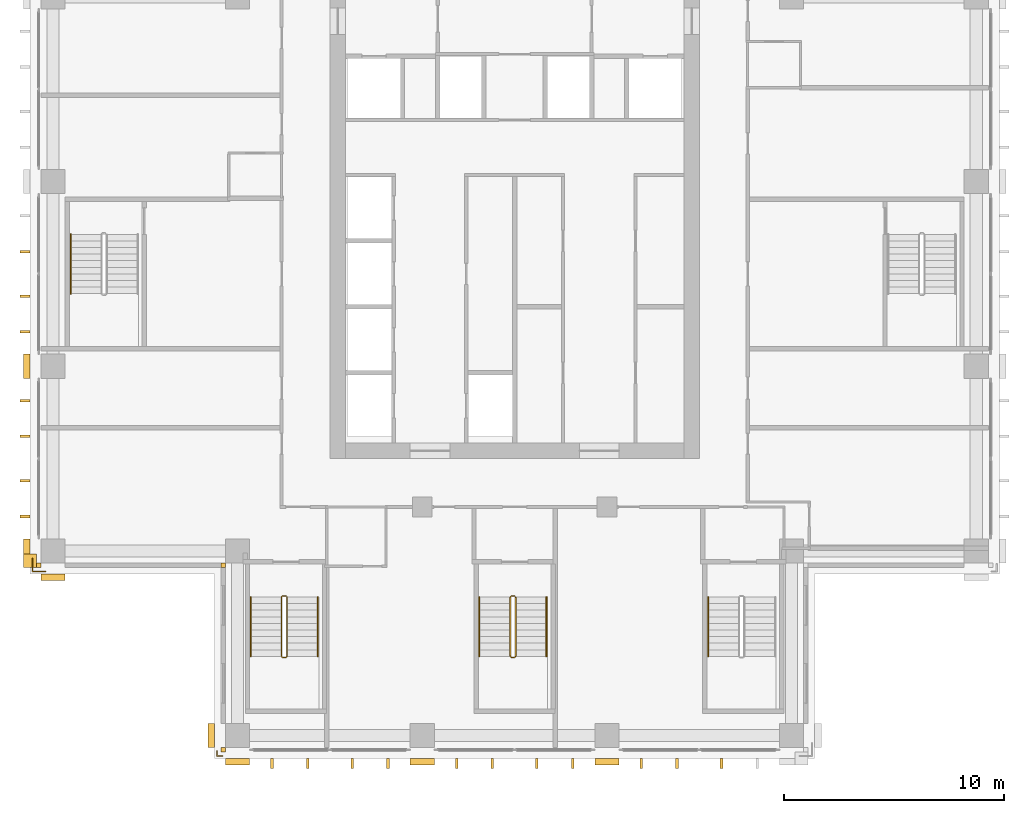
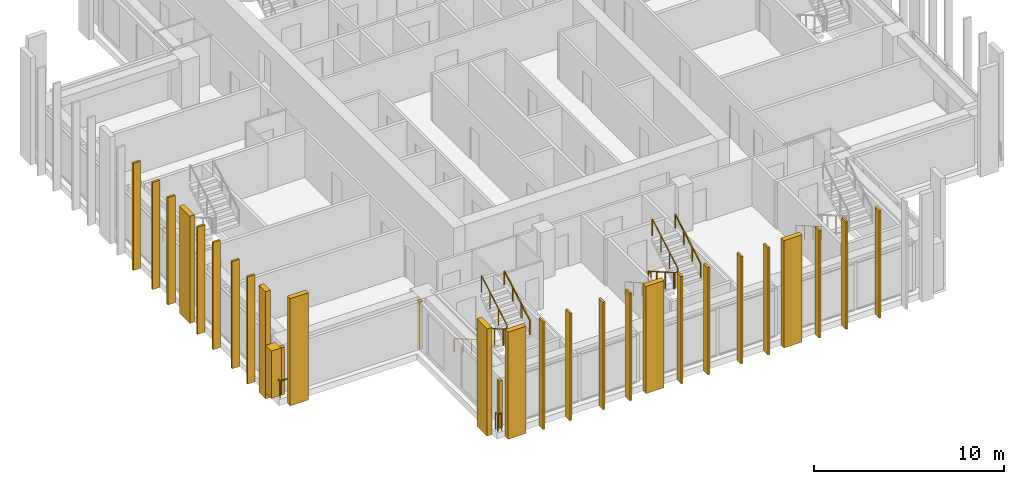
# One storey, part 14 of 16: 29 coverings, 10 railings.
"""IFC4 building model written with IfcOpenShell, lengths in metres."""

from ifc_helpers import new_model, si_unit, direction, frame, origin, origin_2d, place, context, subcontext, project, spatial, polyline, rectangle, outline, extrude, material, layer, layer_set, type_object, element, save


model = new_model("IFC4")

# Units and contexts
model_context = context("Model", 3, precision=1e-05, world=origin(), true_north=direction((0.0, 1.0)))
body_context = subcontext(model_context, "Body", "Model", "MODEL_VIEW")
ifc_project = project(units=[si_unit("LENGTHUNIT", "METRE"), si_unit("AREAUNIT", "SQUARE_METRE"), si_unit("VOLUMEUNIT", "CUBIC_METRE"), si_unit("PLANEANGLEUNIT", "RADIAN"), si_unit("MASSUNIT", "GRAM", prefix="KILO")], contexts=[model_context])

# Site, building, storey
site_placement = place(None, origin())
site = spatial("IfcSite", under=ifc_project, at=site_placement, CompositionType="ELEMENT")
building_placement = place(site_placement, origin())
building = spatial("IfcBuilding", under=site, at=building_placement, Name="Vermilion Ogive Tower", CompositionType="ELEMENT")
storey_placement = place(building_placement, frame((0.0, 0.0, 143.449951171875)))
storey = spatial("IfcBuildingStorey", under=building, at=storey_placement, Name="L36", CompositionType="ELEMENT", Elevation=143.449951171875)

# Coverings
ifc_material_1 = material(Name="Glazed ceramic screen")
ifc_layer = layer(ifc_material_1, 0.14990234375)
ifc_layer_set = layer_set([ifc_layer], Name="Ceramic solar screen fin")
covering_type_1 = type_object("IfcCoveringType", Name="Ceramic solar screen fin", PredefinedType="CLADDING", material=ifc_layer_set)
covering_1_placement = place(storey_placement, frame((0.0, 0.0, -0.39990234375)))
element("IfcCovering", 1, at=covering_1_placement, inside=storey, type_object=covering_type_1, Name="Solar screen blade S971", PredefinedType="CLADDING", context=body_context, shape_type="SweptSolid", body=[
    extrude(outline(polyline([(-11.097412109375, -22.5), (-10.9775390625, -22.5), (-10.9775390625, -22.050048828125), (-11.097412109375, -22.050048828125), (-11.097412109375, -22.5)])), origin(), (0.0, 0.0, 1.0), 6.89990234375),
])
covering_2_placement = place(storey_placement, frame((0.0, 0.0, -0.39990234375)))
element("IfcCovering", 2, at=covering_2_placement, inside=storey, type_object=covering_type_1, Name="Solar screen blade S972", PredefinedType="CLADDING", context=body_context, shape_type="SweptSolid", body=[
    extrude(outline(polyline([(-9.472412109375, -22.5), (-9.3525390625, -22.5), (-9.3525390625, -22.050048828125), (-9.472412109375, -22.050048828125), (-9.472412109375, -22.5)])), origin(), (0.0, 0.0, 1.0), 6.89990234375),
])
covering_3_placement = place(storey_placement, frame((0.0, 0.0, -0.39990234375)))
element("IfcCovering", 3, at=covering_3_placement, inside=storey, type_object=covering_type_1, Name="Solar screen blade S981", PredefinedType="CLADDING", context=body_context, shape_type="SweptSolid", body=[
    extrude(outline(polyline([(-7.447509765625, -22.5), (-7.327392578125, -22.5), (-7.327392578125, -22.050048828125), (-7.447509765625, -22.050048828125), (-7.447509765625, -22.5)])), origin(), (0.0, 0.0, 1.0), 6.89990234375),
])
covering_4_placement = place(storey_placement, frame((0.0, 0.0, -0.39990234375)))
element("IfcCovering", 4, at=covering_4_placement, inside=storey, type_object=covering_type_1, Name="Solar screen blade S982", PredefinedType="CLADDING", context=body_context, shape_type="SweptSolid", body=[
    extrude(outline(polyline([(-5.822509765625, -22.5), (-5.702392578125, -22.5), (-5.702392578125, -22.050048828125), (-5.822509765625, -22.050048828125), (-5.822509765625, -22.5)])), origin(), (0.0, 0.0, 1.0), 6.89990234375),
])
covering_5_placement = place(storey_placement, frame((0.0, 0.0, -0.39990234375)))
element("IfcCovering", 5, at=covering_5_placement, inside=storey, type_object=covering_type_1, Name="Solar screen blade S991", PredefinedType="CLADDING", context=body_context, shape_type="SweptSolid", body=[
    extrude(outline(polyline([(-2.697509765625, -22.5), (-2.577392578125, -22.5), (-2.577392578125, -22.050048828125), (-2.697509765625, -22.050048828125), (-2.697509765625, -22.5)])), origin(), (0.0, 0.0, 1.0), 6.89990234375),
])
covering_6_placement = place(storey_placement, frame((0.0, 0.0, -0.39990234375)))
element("IfcCovering", 6, at=covering_6_placement, inside=storey, type_object=covering_type_1, Name="Solar screen blade S992", PredefinedType="CLADDING", context=body_context, shape_type="SweptSolid", body=[
    extrude(outline(polyline([(-1.072509765625, -22.5), (-0.952392578125, -22.5), (-0.952392578125, -22.050048828125), (-1.072509765625, -22.050048828125), (-1.072509765625, -22.5)])), origin(), (0.0, 0.0, 1.0), 6.89990234375),
])
covering_7_placement = place(storey_placement, frame((0.0, 0.0, -0.39990234375)))
element("IfcCovering", 7, at=covering_7_placement, inside=storey, type_object=covering_type_1, Name="Solar screen blade S001", PredefinedType="CLADDING", context=body_context, shape_type="SweptSolid", body=[
    extrude(outline(polyline([(0.952392578125, -22.5), (1.072509765625, -22.5), (1.072509765625, -22.050048828125), (0.952392578125, -22.050048828125), (0.952392578125, -22.5)])), origin(), (0.0, 0.0, 1.0), 6.89990234375),
])
covering_8_placement = place(storey_placement, frame((0.0, 0.0, -0.39990234375)))
element("IfcCovering", 8, at=covering_8_placement, inside=storey, type_object=covering_type_1, Name="Solar screen blade S002", PredefinedType="CLADDING", context=body_context, shape_type="SweptSolid", body=[
    extrude(outline(polyline([(2.577392578125, -22.5), (2.697509765625, -22.5), (2.697509765625, -22.050048828125), (2.577392578125, -22.050048828125), (2.577392578125, -22.5)])), origin(), (0.0, 0.0, 1.0), 6.89990234375),
])
covering_9_placement = place(storey_placement, frame((0.0, 0.0, -0.39990234375)))
element("IfcCovering", 9, at=covering_9_placement, inside=storey, type_object=covering_type_1, Name="Solar screen blade S011", PredefinedType="CLADDING", context=body_context, shape_type="SweptSolid", body=[
    extrude(outline(polyline([(5.702392578125, -22.5), (5.822509765625, -22.5), (5.822509765625, -22.050048828125), (5.702392578125, -22.050048828125), (5.702392578125, -22.5)])), origin(), (0.0, 0.0, 1.0), 6.89990234375),
])
covering_10_placement = place(storey_placement, frame((0.0, 0.0, -0.39990234375)))
element("IfcCovering", 10, at=covering_10_placement, inside=storey, type_object=covering_type_1, Name="Solar screen blade S012", PredefinedType="CLADDING", context=body_context, shape_type="SweptSolid", body=[
    extrude(outline(polyline([(7.327392578125, -22.5), (7.447509765625, -22.5), (7.447509765625, -22.050048828125), (7.327392578125, -22.050048828125), (7.327392578125, -22.5)])), origin(), (0.0, 0.0, 1.0), 6.89990234375),
])
covering_11_placement = place(storey_placement, frame((0.0, 0.0, -0.39990234375)))
element("IfcCovering", 11, at=covering_11_placement, inside=storey, type_object=covering_type_1, Name="Solar screen blade S021", PredefinedType="CLADDING", context=body_context, shape_type="SweptSolid", body=[
    extrude(outline(polyline([(9.3525390625, -22.5), (9.472412109375, -22.5), (9.472412109375, -22.050048828125), (9.3525390625, -22.050048828125), (9.3525390625, -22.5)])), origin(), (0.0, 0.0, 1.0), 6.89990234375),
])
covering_12_placement = place(storey_placement, frame((0.0, 0.0, -0.39990234375)))
element("IfcCovering", 12, at=covering_12_placement, inside=storey, type_object=covering_type_1, Name="Solar screen blade W991", PredefinedType="CLADDING", context=body_context, shape_type="SweptSolid", body=[
    extrude(outline(polyline([(-22.5, -0.952392578125), (-22.5, -1.072509765625), (-22.050048828125, -1.072509765625), (-22.050048828125, -0.952392578125), (-22.5, -0.952392578125)])), origin(), (0.0, 0.0, 1.0), 6.89990234375),
])
covering_13_placement = place(storey_placement, frame((0.0, 0.0, -0.39990234375)))
element("IfcCovering", 13, at=covering_13_placement, inside=storey, type_object=covering_type_1, Name="Solar screen blade W992", PredefinedType="CLADDING", context=body_context, shape_type="SweptSolid", body=[
    extrude(outline(polyline([(-22.5, -2.577392578125), (-22.5, -2.697509765625), (-22.050048828125, -2.697509765625), (-22.050048828125, -2.577392578125), (-22.5, -2.577392578125)])), origin(), (0.0, 0.0, 1.0), 6.89990234375),
])
covering_14_placement = place(storey_placement, frame((0.0, 0.0, -0.39990234375)))
element("IfcCovering", 14, at=covering_14_placement, inside=storey, type_object=covering_type_1, Name="Solar screen blade W002", PredefinedType="CLADDING", context=body_context, shape_type="SweptSolid", body=[
    extrude(outline(polyline([(-22.5, 1.072509765625), (-22.5, 0.952392578125), (-22.050048828125, 0.952392578125), (-22.050048828125, 1.072509765625), (-22.5, 1.072509765625)])), origin(), (0.0, 0.0, 1.0), 6.89990234375),
])
covering_15_placement = place(storey_placement, frame((0.0, 0.0, -0.39990234375)))
element("IfcCovering", 15, at=covering_15_placement, inside=storey, type_object=covering_type_1, Name="Solar screen blade W971", PredefinedType="CLADDING", context=body_context, shape_type="SweptSolid", body=[
    extrude(outline(polyline([(-22.5, -9.3525390625), (-22.5, -9.472412109375), (-22.050048828125, -9.472412109375), (-22.050048828125, -9.3525390625), (-22.5, -9.3525390625)])), origin(), (0.0, 0.0, 1.0), 6.89990234375),
])
covering_16_placement = place(storey_placement, frame((0.0, 0.0, -0.39990234375)))
element("IfcCovering", 16, at=covering_16_placement, inside=storey, type_object=covering_type_1, Name="Solar screen blade W972", PredefinedType="CLADDING", context=body_context, shape_type="SweptSolid", body=[
    extrude(outline(polyline([(-22.5, -10.9775390625), (-22.5, -11.097412109375), (-22.050048828125, -11.097412109375), (-22.050048828125, -10.9775390625), (-22.5, -10.9775390625)])), origin(), (0.0, 0.0, 1.0), 6.89990234375),
])
covering_17_placement = place(storey_placement, frame((0.0, 0.0, -0.39990234375)))
element("IfcCovering", 17, at=covering_17_placement, inside=storey, type_object=covering_type_1, Name="Solar screen blade W981", PredefinedType="CLADDING", context=body_context, shape_type="SweptSolid", body=[
    extrude(outline(polyline([(-22.5, -5.702392578125), (-22.5, -5.822509765625), (-22.050048828125, -5.822509765625), (-22.050048828125, -5.702392578125), (-22.5, -5.702392578125)])), origin(), (0.0, 0.0, 1.0), 6.89990234375),
])
covering_18_placement = place(storey_placement, frame((0.0, 0.0, -0.39990234375)))
element("IfcCovering", 18, at=covering_18_placement, inside=storey, type_object=covering_type_1, Name="Solar screen blade W982", PredefinedType="CLADDING", context=body_context, shape_type="SweptSolid", body=[
    extrude(outline(polyline([(-22.5, -7.327392578125), (-22.5, -7.447509765625), (-22.050048828125, -7.447509765625), (-22.050048828125, -7.327392578125), (-22.5, -7.327392578125)])), origin(), (0.0, 0.0, 1.0), 6.89990234375),
])

# Railings
ifc_material_2 = material(Name="Stainless steel", Category="steel")
railing_type_1 = type_object("IfcRailingType", Name="Slab edge guard SG1", PredefinedType="GUARDRAIL", material=ifc_material_2)
railing_1_placement = place(storey_placement, frame((-13.300048828125, -21.929931640625, 0.0)))
element("IfcRailing", 19, at=railing_1_placement, inside=storey, type_object=railing_type_1, Name="L36 slab corner guard", PredefinedType="GUARDRAIL", context=body_context, shape_type="SweptSolid", body=[
    extrude(rectangle(XDim=0.050048828125, YDim=0.050048828125, at=origin_2d()), frame((0.0, 0.0, 1.0751953125), z_axis=(-1.0, 0.0, 0.0), x_axis=(0.0, -1.0, 0.0)), (0.0, 0.0, 1.0), 0.22998046875),
    extrude(rectangle(XDim=0.050048828125, YDim=0.050048828125, at=origin_2d()), frame((-0.22998046875, 0.0, 1.0751953125), z_axis=(0.0, 1.0, 0.0), x_axis=(-1.0, 0.0, 0.0)), (0.0, 0.0, 1.0), 0.22998046875),
    extrude(rectangle(XDim=0.050048828125, YDim=0.050048828125, at=origin_2d()), origin(), (0.0, 0.0, 1.0), 1.050048828125),
    extrude(rectangle(XDim=0.050048828125, YDim=0.050048828125, at=origin_2d()), frame((-0.22998046875, 0.0, 0.0)), (0.0, 0.0, 1.0), 1.050048828125),
    extrude(rectangle(XDim=0.050048828125, YDim=0.050048828125, at=origin_2d()), frame((-0.22998046875, 0.22998046875, 0.0)), (0.0, 0.0, 1.0), 1.050048828125),
])
railing_2_placement = place(storey_placement, frame((-21.929931640625, -12.949951171875, 0.0)))
element("IfcRailing", 20, at=railing_2_placement, inside=storey, type_object=railing_type_1, Name="L36 slab corner guard", PredefinedType="GUARDRAIL", context=body_context, shape_type="SweptSolid", body=[
    extrude(rectangle(XDim=0.050048828125, YDim=0.050048828125, at=origin_2d()), frame((0.0, 0.0, 1.0751953125), z_axis=(0.0, -1.0, 0.0), x_axis=(1.0, 0.0, 0.0)), (0.0, 0.0, 1.0), 0.580078125),
    extrude(rectangle(XDim=0.050048828125, YDim=0.050048828125, at=origin_2d()), frame((0.0, -0.580078125, 1.0751953125), z_axis=(1.0, 0.0, 0.0), x_axis=(0.0, 1.0, 0.0)), (0.0, 0.0, 1.0), 0.579833984375),
    extrude(rectangle(XDim=0.050048828125, YDim=0.050048828125, at=origin_2d()), origin(), (0.0, 0.0, 1.0), 1.050048828125),
    extrude(rectangle(XDim=0.050048828125, YDim=0.050048828125, at=origin_2d()), frame((0.0, -0.580078125, 0.0)), (0.0, 0.0, 1.0), 1.050048828125),
    extrude(rectangle(XDim=0.050048828125, YDim=0.050048828125, at=origin_2d()), frame((0.579833984375, -0.580078125, 0.0)), (0.0, 0.0, 1.0), 1.050048828125),
])
ifc_material_3 = material(Name="Steel S355 painted", Category="steel")
railing_type_2 = type_object("IfcRailingType", Name="Stair guard 1100", PredefinedType="GUARDRAIL", material=ifc_material_3)
railing_3_placement = place(storey_placement, frame((-10.39990234375, -14.64990234375, 0.0)))
element("IfcRailing", 21, at=railing_3_placement, inside=storey, type_object=railing_type_2, Name="L36 ST3 stair guard 4", PredefinedType="GUARDRAIL", context=body_context, shape_type="SweptSolid", body=[
    extrude(rectangle(XDim=0.048095703125, YDim=0.048095703125, at=origin_2d()), frame((0.0, 0.0, 1.076171875), z_axis=(-1.0, 0.0, 0.0), x_axis=(0.0, -1.0, 0.0)), (0.0, 0.0, 1.0), 0.150146484375),
    extrude(rectangle(XDim=0.048095703125, YDim=0.048095703125, at=origin_2d()), frame((-0.150146484375, 0.0, 1.076171875), z_axis=(-0.268277960024, -0.268277960024, 0.925231793839), x_axis=(0.707106781187, -0.707106781187, 0.0)), (0.0, 0.0, 1.0), 0.1865234375),
    extrude(rectangle(XDim=0.048095703125, YDim=0.048095703125, at=origin_2d()), frame((-0.2001953125, -0.050048828125, 1.24853515625), z_axis=(0.0, -0.866903762492, 0.498475542607), x_axis=(1.0, 0.0, 0.0)), (0.0, 0.0, 1.0), 3.114501953125),
    extrude(rectangle(XDim=0.048095703125, YDim=0.048095703125, at=origin_2d()), frame((-0.2001953125, -2.75, 2.80126953125), z_axis=(0.707106781187, -0.707106781187, 0.0), x_axis=(0.707106781187, 0.707106781187, 0.0)), (0.0, 0.0, 1.0), 0.07080078125),
    extrude(rectangle(XDim=0.048095703125, YDim=0.048095703125, at=origin_2d()), frame((-0.150146484375, -2.800048828125, 2.80126953125), z_axis=(1.0, 0.0, 0.0), x_axis=(0.0, 1.0, 0.0)), (0.0, 0.0, 1.0), 0.150146484375),
    extrude(rectangle(XDim=0.048095703125, YDim=0.048095703125, at=origin_2d()), frame((0.0, -2.800048828125, 2.80126953125), z_axis=(0.267386790225, 0.268697509785, 0.925368009307), x_axis=(-0.708833529934, 0.705375805398, 0.0)), (0.0, 0.0, 1.0), 0.186279296875),
    extrude(rectangle(XDim=0.048095703125, YDim=0.048095703125, at=origin_2d()), frame((0.0498046875, -2.75, 2.9736328125), z_axis=(0.0, 0.866903762492, 0.498475542607), x_axis=(-1.0, 0.0, 0.0)), (0.0, 0.0, 1.0), 3.114501953125),
    extrude(rectangle(XDim=0.0419921875, YDim=0.0419921875, at=origin_2d()), origin(), (0.0, 0.0, 1.0), 1.052001953125),
    extrude(rectangle(XDim=0.0419921875, YDim=0.0419921875, at=origin_2d()), frame((-0.150146484375, 0.0, 0.0)), (0.0, 0.0, 1.0), 1.052001953125),
    extrude(rectangle(XDim=0.0419921875, YDim=0.0419921875, at=origin_2d()), frame((-0.2001953125, -0.050048828125, 0.172607421875)), (0.0, 0.0, 1.0), 1.052001953125),
    extrude(rectangle(XDim=0.0419921875, YDim=0.0419921875, at=origin_2d()), frame((-0.2001953125, -0.949951171875, 0.690185546875)), (0.0, 0.0, 1.0), 1.052001953125),
    extrude(rectangle(XDim=0.0419921875, YDim=0.0419921875, at=origin_2d()), frame((-0.2001953125, -1.85009765625, 1.20751953125)), (0.0, 0.0, 1.0), 1.052001953125),
    extrude(rectangle(XDim=0.0419921875, YDim=0.0419921875, at=origin_2d()), frame((-0.2001953125, -2.75, 1.72509765625)), (0.0, 0.0, 1.0), 1.052001953125),
    extrude(rectangle(XDim=0.0419921875, YDim=0.0419921875, at=origin_2d()), frame((-0.150146484375, -2.800048828125, 1.72509765625)), (0.0, 0.0, 1.0), 1.052001953125),
    extrude(rectangle(XDim=0.0419921875, YDim=0.0419921875, at=origin_2d()), frame((0.0, -2.800048828125, 1.72509765625)), (0.0, 0.0, 1.0), 1.052001953125),
    extrude(rectangle(XDim=0.0419921875, YDim=0.0419921875, at=origin_2d()), frame((0.0498046875, -2.75, 1.8974609375)), (0.0, 0.0, 1.0), 1.052001953125),
    extrude(rectangle(XDim=0.0419921875, YDim=0.0419921875, at=origin_2d()), frame((0.0498046875, -1.85009765625, 2.4150390625)), (0.0, 0.0, 1.0), 1.052001953125),
    extrude(rectangle(XDim=0.0419921875, YDim=0.0419921875, at=origin_2d()), frame((0.0498046875, -0.949951171875, 2.932373046875)), (0.0, 0.0, 1.0), 1.052001953125),
    extrude(rectangle(XDim=0.0419921875, YDim=0.0419921875, at=origin_2d()), frame((0.0498046875, -0.050048828125, 3.449951171875)), (0.0, 0.0, 1.0), 1.052001953125),
])
railing_4_placement = place(storey_placement, frame((0.0, -14.64990234375, 0.0)))
element("IfcRailing", 22, at=railing_4_placement, inside=storey, type_object=railing_type_2, Name="L36 ST4 stair guard 4", PredefinedType="GUARDRAIL", context=body_context, shape_type="SweptSolid", body=[
    extrude(rectangle(XDim=0.048095703125, YDim=0.048095703125, at=origin_2d()), frame((0.0, 0.0, 1.076171875), z_axis=(-1.0, 0.0, 0.0), x_axis=(0.0, -1.0, 0.0)), (0.0, 0.0, 1.0), 0.14990234375),
    extrude(rectangle(XDim=0.048095703125, YDim=0.048095703125, at=origin_2d()), frame((-0.14990234375, 0.0, 1.076171875), z_axis=(-0.268277960024, -0.268277960024, 0.925231793839), x_axis=(0.707106781187, -0.707106781187, 0.0)), (0.0, 0.0, 1.0), 0.1865234375),
    extrude(rectangle(XDim=0.048095703125, YDim=0.048095703125, at=origin_2d()), frame((-0.199951171875, -0.050048828125, 1.24853515625), z_axis=(0.0, -0.866903762492, 0.498475542607), x_axis=(1.0, 0.0, 0.0)), (0.0, 0.0, 1.0), 3.114501953125),
    extrude(rectangle(XDim=0.048095703125, YDim=0.048095703125, at=origin_2d()), frame((-0.199951171875, -2.75, 2.80126953125), z_axis=(0.707106781187, -0.707106781187, 0.0), x_axis=(0.707106781187, 0.707106781187, 0.0)), (0.0, 0.0, 1.0), 0.07080078125),
    extrude(rectangle(XDim=0.048095703125, YDim=0.048095703125, at=origin_2d()), frame((-0.14990234375, -2.800048828125, 2.80126953125), z_axis=(1.0, 0.0, 0.0), x_axis=(0.0, 1.0, 0.0)), (0.0, 0.0, 1.0), 0.14990234375),
    extrude(rectangle(XDim=0.048095703125, YDim=0.048095703125, at=origin_2d()), frame((0.0, -2.800048828125, 2.80126953125), z_axis=(0.268603158521, 0.268603158521, 0.925043072762), x_axis=(-0.707106781187, 0.707106781187, 0.0)), (0.0, 0.0, 1.0), 0.186279296875),
    extrude(rectangle(XDim=0.048095703125, YDim=0.048095703125, at=origin_2d()), frame((0.050048828125, -2.75, 2.9736328125), z_axis=(0.0, 0.866903762492, 0.498475542607), x_axis=(-1.0, 0.0, 0.0)), (0.0, 0.0, 1.0), 3.114501953125),
    extrude(rectangle(XDim=0.0419921875, YDim=0.0419921875, at=origin_2d()), origin(), (0.0, 0.0, 1.0), 1.052001953125),
    extrude(rectangle(XDim=0.0419921875, YDim=0.0419921875, at=origin_2d()), frame((-0.14990234375, 0.0, 0.0)), (0.0, 0.0, 1.0), 1.052001953125),
    extrude(rectangle(XDim=0.0419921875, YDim=0.0419921875, at=origin_2d()), frame((-0.199951171875, -0.050048828125, 0.172607421875)), (0.0, 0.0, 1.0), 1.052001953125),
    extrude(rectangle(XDim=0.0419921875, YDim=0.0419921875, at=origin_2d()), frame((-0.199951171875, -0.949951171875, 0.690185546875)), (0.0, 0.0, 1.0), 1.052001953125),
    extrude(rectangle(XDim=0.0419921875, YDim=0.0419921875, at=origin_2d()), frame((-0.199951171875, -1.85009765625, 1.20751953125)), (0.0, 0.0, 1.0), 1.052001953125),
    extrude(rectangle(XDim=0.0419921875, YDim=0.0419921875, at=origin_2d()), frame((-0.199951171875, -2.75, 1.72509765625)), (0.0, 0.0, 1.0), 1.052001953125),
    extrude(rectangle(XDim=0.0419921875, YDim=0.0419921875, at=origin_2d()), frame((-0.14990234375, -2.800048828125, 1.72509765625)), (0.0, 0.0, 1.0), 1.052001953125),
    extrude(rectangle(XDim=0.0419921875, YDim=0.0419921875, at=origin_2d()), frame((0.0, -2.800048828125, 1.72509765625)), (0.0, 0.0, 1.0), 1.052001953125),
    extrude(rectangle(XDim=0.0419921875, YDim=0.0419921875, at=origin_2d()), frame((0.050048828125, -2.75, 1.8974609375)), (0.0, 0.0, 1.0), 1.052001953125),
    extrude(rectangle(XDim=0.0419921875, YDim=0.0419921875, at=origin_2d()), frame((0.050048828125, -1.85009765625, 2.4150390625)), (0.0, 0.0, 1.0), 1.052001953125),
    extrude(rectangle(XDim=0.0419921875, YDim=0.0419921875, at=origin_2d()), frame((0.050048828125, -0.949951171875, 2.932373046875)), (0.0, 0.0, 1.0), 1.052001953125),
    extrude(rectangle(XDim=0.0419921875, YDim=0.0419921875, at=origin_2d()), frame((0.050048828125, -0.050048828125, 3.449951171875)), (0.0, 0.0, 1.0), 1.052001953125),
])
ifc_material_4 = material(Name="Stainless steel", Category="steel")
railing_type_3 = type_object("IfcRailingType", Name="Stair handrail 900", PredefinedType="HANDRAIL", material=ifc_material_4)
railing_5_placement = place(storey_placement, frame((-12.0, -14.699951171875, 0.172607421875)))
element("IfcRailing", 23, at=railing_5_placement, inside=storey, type_object=railing_type_3, Name="L36 ST3 stair handrail 1", PredefinedType="HANDRAIL", context=body_context, shape_type="SweptSolid", body=[
    extrude(rectangle(XDim=0.048095703125, YDim=0.048095703125, at=origin_2d()), frame((0.0, 0.0, 0.8759765625), z_axis=(0.0, -0.866903762492, 0.498475542607), x_axis=(1.0, 0.0, 0.0)), (0.0, 0.0, 1.0), 3.114501953125),
    extrude(rectangle(XDim=0.0419921875, YDim=0.0419921875, at=origin_2d()), origin(), (0.0, 0.0, 1.0), 0.851806640625),
    extrude(rectangle(XDim=0.0419921875, YDim=0.0419921875, at=origin_2d()), frame((0.0, -0.89990234375, 0.517578125)), (0.0, 0.0, 1.0), 0.851806640625),
    extrude(rectangle(XDim=0.0419921875, YDim=0.0419921875, at=origin_2d()), frame((0.0, -1.800048828125, 1.034912109375)), (0.0, 0.0, 1.0), 0.851806640625),
    extrude(rectangle(XDim=0.0419921875, YDim=0.0419921875, at=origin_2d()), frame((0.0, -2.699951171875, 1.552490234375)), (0.0, 0.0, 1.0), 0.851806640625),
])
railing_6_placement = place(storey_placement, frame((-8.949951171875, -17.39990234375, 1.8974609375)))
element("IfcRailing", 24, at=railing_6_placement, inside=storey, type_object=railing_type_3, Name="L36 ST3 stair handrail 2", PredefinedType="HANDRAIL", context=body_context, shape_type="SweptSolid", body=[
    extrude(rectangle(XDim=0.048095703125, YDim=0.048095703125, at=origin_2d()), frame((0.0, 0.0, 0.8759765625), z_axis=(0.0, 0.866903762492, 0.498475542607), x_axis=(-1.0, 0.0, 0.0)), (0.0, 0.0, 1.0), 3.114501953125),
    extrude(rectangle(XDim=0.0419921875, YDim=0.0419921875, at=origin_2d()), origin(), (0.0, 0.0, 1.0), 0.851806640625),
    extrude(rectangle(XDim=0.0419921875, YDim=0.0419921875, at=origin_2d()), frame((0.0, 0.89990234375, 0.517578125)), (0.0, 0.0, 1.0), 0.851806640625),
    extrude(rectangle(XDim=0.0419921875, YDim=0.0419921875, at=origin_2d()), frame((0.0, 1.800048828125, 1.034912109375)), (0.0, 0.0, 1.0), 0.851806640625),
    extrude(rectangle(XDim=0.0419921875, YDim=0.0419921875, at=origin_2d()), frame((0.0, 2.699951171875, 1.552490234375)), (0.0, 0.0, 1.0), 0.851806640625),
])
railing_7_placement = place(storey_placement, frame((-1.60009765625, -14.699951171875, 0.172607421875)))
element("IfcRailing", 25, at=railing_7_placement, inside=storey, type_object=railing_type_3, Name="L36 ST4 stair handrail 1", PredefinedType="HANDRAIL", context=body_context, shape_type="SweptSolid", body=[
    extrude(rectangle(XDim=0.048095703125, YDim=0.048095703125, at=origin_2d()), frame((0.0, 0.0, 0.8759765625), z_axis=(0.0, -0.866903762492, 0.498475542607), x_axis=(1.0, 0.0, 0.0)), (0.0, 0.0, 1.0), 3.114501953125),
    extrude(rectangle(XDim=0.0419921875, YDim=0.0419921875, at=origin_2d()), origin(), (0.0, 0.0, 1.0), 0.851806640625),
    extrude(rectangle(XDim=0.0419921875, YDim=0.0419921875, at=origin_2d()), frame((0.0, -0.89990234375, 0.517578125)), (0.0, 0.0, 1.0), 0.851806640625),
    extrude(rectangle(XDim=0.0419921875, YDim=0.0419921875, at=origin_2d()), frame((0.0, -1.800048828125, 1.034912109375)), (0.0, 0.0, 1.0), 0.851806640625),
    extrude(rectangle(XDim=0.0419921875, YDim=0.0419921875, at=origin_2d()), frame((0.0, -2.699951171875, 1.552490234375)), (0.0, 0.0, 1.0), 0.851806640625),
])
railing_8_placement = place(storey_placement, frame((1.449951171875, -17.39990234375, 1.8974609375)))
element("IfcRailing", 26, at=railing_8_placement, inside=storey, type_object=railing_type_3, Name="L36 ST4 stair handrail 2", PredefinedType="HANDRAIL", context=body_context, shape_type="SweptSolid", body=[
    extrude(rectangle(XDim=0.048095703125, YDim=0.048095703125, at=origin_2d()), frame((0.0, 0.0, 0.8759765625), z_axis=(0.0, 0.866903762492, 0.498475542607), x_axis=(-1.0, 0.0, 0.0)), (0.0, 0.0, 1.0), 3.114501953125),
    extrude(rectangle(XDim=0.0419921875, YDim=0.0419921875, at=origin_2d()), origin(), (0.0, 0.0, 1.0), 0.851806640625),
    extrude(rectangle(XDim=0.0419921875, YDim=0.0419921875, at=origin_2d()), frame((0.0, 0.89990234375, 0.517578125)), (0.0, 0.0, 1.0), 0.851806640625),
    extrude(rectangle(XDim=0.0419921875, YDim=0.0419921875, at=origin_2d()), frame((0.0, 1.800048828125, 1.034912109375)), (0.0, 0.0, 1.0), 0.851806640625),
    extrude(rectangle(XDim=0.0419921875, YDim=0.0419921875, at=origin_2d()), frame((0.0, 2.699951171875, 1.552490234375)), (0.0, 0.0, 1.0), 0.851806640625),
])
for number, where, name in (
    (27, (8.800048828125, -14.699951171875, 0.172607421875), "L36 ST5 stair handrail 1"),
    (28, (-20.199951171875, 1.800048828125, 0.172607421875), "L36 ST9 stair handrail 1"),
):
    element("IfcRailing", number, at=place(storey_placement, frame(where)), inside=storey, type_object=railing_type_3, Name=name, PredefinedType="HANDRAIL", context=body_context, shape_type="SweptSolid", body=[
        extrude(rectangle(XDim=0.048095703125, YDim=0.048095703125, at=origin_2d()), frame((0.0, 0.0, 0.8759765625), z_axis=(0.0, -0.866903762492, 0.498475542607), x_axis=(1.0, 0.0, 0.0)), (0.0, 0.0, 1.0), 3.114501953125),
        extrude(rectangle(XDim=0.0419921875, YDim=0.0419921875, at=origin_2d()), origin(), (0.0, 0.0, 1.0), 0.851806640625),
        extrude(rectangle(XDim=0.0419921875, YDim=0.0419921875, at=origin_2d()), frame((0.0, -0.89990234375, 0.517578125)), (0.0, 0.0, 1.0), 0.851806640625),
        extrude(rectangle(XDim=0.0419921875, YDim=0.0419921875, at=origin_2d()), frame((0.0, -1.800048828125, 1.034912109375)), (0.0, 0.0, 1.0), 0.851806640625),
        extrude(rectangle(XDim=0.0419921875, YDim=0.0419921875, at=origin_2d()), frame((0.0, -2.699951171875, 1.552490234375)), (0.0, 0.0, 1.0), 0.851806640625),
    ])

# Coverings
ifc_material_5 = material(Name="Stone cladding", Category="masonry")
covering_type_2 = type_object("IfcCoveringType", Name="Stone corner buttress", PredefinedType="CLADDING", material=ifc_material_5)
covering_19_placement = place(storey_placement, origin())
element("IfcCovering", 29, at=covering_19_placement, inside=storey, type_object=covering_type_2, Name="Stone crease pier WK", PredefinedType="CLADDING", context=body_context, shape_type="SweptSolid", body=[
    extrude(outline(polyline([(-22.35009765625, -12.75), (-22.35009765625, -13.35009765625), (-21.75, -13.35009765625), (-21.75, -12.75), (-22.35009765625, -12.75)])), origin(), (0.0, 0.0, 1.0), 3.050048828125),
])
ifc_material_6 = material(Name="Stone cladding", Category="masonry")
covering_type_3 = type_object("IfcCoveringType", Name="Stone pier", PredefinedType="CLADDING", material=ifc_material_6)
covering_20_placement = place(storey_placement, origin())
element("IfcCovering", 30, at=covering_20_placement, inside=storey, type_object=covering_type_3, Name="Stone corner pier WE1", PredefinedType="CLADDING", context=body_context, shape_type="SweptSolid", body=[
    extrude(outline(polyline([(-21.75, -13.14990234375), (-21.550048828125, -13.14990234375), (-21.550048828125, -13.35009765625), (-21.75, -13.35009765625), (-21.75, -13.14990234375)])), origin(), (0.0, 0.0, 1.0), 3.050048828125),
])
covering_21_placement = place(storey_placement, origin())
element("IfcCovering", 31, at=covering_21_placement, inside=storey, type_object=covering_type_3, Name="Stone corner pier X7E1", PredefinedType="CLADDING", context=body_context, shape_type="SweptSolid", body=[
    extrude(outline(polyline([(-13.14990234375, -13.14990234375), (-13.14990234375, -13.35009765625), (-13.35009765625, -13.35009765625), (-13.35009765625, -13.14990234375), (-13.14990234375, -13.14990234375)])), origin(), (0.0, 0.0, 1.0), 3.050048828125),
])
covering_22_placement = place(storey_placement, origin())
element("IfcCovering", 32, at=covering_22_placement, inside=storey, type_object=covering_type_3, Name="Stone corner pier X8E1", PredefinedType="CLADDING", context=body_context, shape_type="SweptSolid", body=[
    extrude(outline(polyline([(-13.35009765625, -21.550048828125), (-13.14990234375, -21.550048828125), (-13.14990234375, -21.75), (-13.35009765625, -21.75), (-13.35009765625, -21.550048828125)])), origin(), (0.0, 0.0, 1.0), 3.050048828125),
])
covering_23_placement = place(storey_placement, frame((0.0, 0.0, -0.39990234375)))
element("IfcCovering", 33, at=covering_23_placement, inside=storey, type_object=covering_type_3, Name="Stone pier P+0042-210", PredefinedType="CLADDING", context=body_context, shape_type="SweptSolid", body=[
    extrude(outline(polyline([(4.75, -22.35009765625), (3.64990234375, -22.35009765625), (3.64990234375, -22.050048828125), (4.75, -22.050048828125), (4.75, -22.35009765625)])), origin(), (0.0, 0.0, 1.0), 6.89990234375),
])
covering_24_placement = place(storey_placement, frame((0.0, 0.0, -0.39990234375)))
element("IfcCovering", 34, at=covering_24_placement, inside=storey, type_object=covering_type_3, Name="Stone pier P-0042-210", PredefinedType="CLADDING", context=body_context, shape_type="SweptSolid", body=[
    extrude(outline(polyline([(-3.64990234375, -22.35009765625), (-4.75, -22.35009765625), (-4.75, -22.050048828125), (-3.64990234375, -22.050048828125), (-3.64990234375, -22.35009765625)])), origin(), (0.0, 0.0, 1.0), 6.89990234375),
])
covering_25_placement = place(storey_placement, frame((0.0, 0.0, -0.39990234375)))
element("IfcCovering", 35, at=covering_25_placement, inside=storey, type_object=covering_type_3, Name="Stone pier P-0126-210S", PredefinedType="CLADDING", context=body_context, shape_type="SweptSolid", body=[
    extrude(outline(polyline([(-12.050048828125, -22.35009765625), (-13.14990234375, -22.35009765625), (-13.14990234375, -22.050048828125), (-12.050048828125, -22.050048828125), (-12.050048828125, -22.35009765625)])), origin(), (0.0, 0.0, 1.0), 6.89990234375),
])
covering_26_placement = place(storey_placement, frame((0.0, 0.0, -0.39990234375)))
element("IfcCovering", 36, at=covering_26_placement, inside=storey, type_object=covering_type_3, Name="Stone pier P-0126-210X8", PredefinedType="CLADDING", context=body_context, shape_type="SweptSolid", body=[
    extrude(outline(polyline([(-13.949951171875, -20.449951171875), (-13.64990234375, -20.449951171875), (-13.64990234375, -21.550048828125), (-13.949951171875, -21.550048828125), (-13.949951171875, -20.449951171875)])), origin(), (0.0, 0.0, 1.0), 6.89990234375),
])
covering_27_placement = place(storey_placement, frame((0.0, 0.0, -0.39990234375)))
element("IfcCovering", 37, at=covering_27_placement, inside=storey, type_object=covering_type_3, Name="Stone pier P-0210-042", PredefinedType="CLADDING", context=body_context, shape_type="SweptSolid", body=[
    extrude(outline(polyline([(-22.35009765625, -4.75), (-22.35009765625, -3.64990234375), (-22.050048828125, -3.64990234375), (-22.050048828125, -4.75), (-22.35009765625, -4.75)])), origin(), (0.0, 0.0, 1.0), 6.89990234375),
])
covering_28_placement = place(storey_placement, frame((0.0, 0.0, -0.39990234375)))
element("IfcCovering", 38, at=covering_28_placement, inside=storey, type_object=covering_type_3, Name="Stone pier P-0210-126W", PredefinedType="CLADDING", context=body_context, shape_type="SweptSolid", body=[
    extrude(outline(polyline([(-22.35009765625, -12.050048828125), (-22.050048828125, -12.050048828125), (-22.050048828125, -12.75), (-22.35009765625, -12.75), (-22.35009765625, -12.050048828125)])), origin(), (0.0, 0.0, 1.0), 6.89990234375),
])
covering_29_placement = place(storey_placement, frame((0.0, 0.0, -0.39990234375)))
element("IfcCovering", 39, at=covering_29_placement, inside=storey, type_object=covering_type_3, Name="Stone pier P-0210-126X7", PredefinedType="CLADDING", context=body_context, shape_type="SweptSolid", body=[
    extrude(outline(polyline([(-21.550048828125, -13.949951171875), (-21.550048828125, -13.64990234375), (-20.449951171875, -13.64990234375), (-20.449951171875, -13.949951171875), (-21.550048828125, -13.949951171875)])), origin(), (0.0, 0.0, 1.0), 6.89990234375),
])

save(model, "model.ifc")
